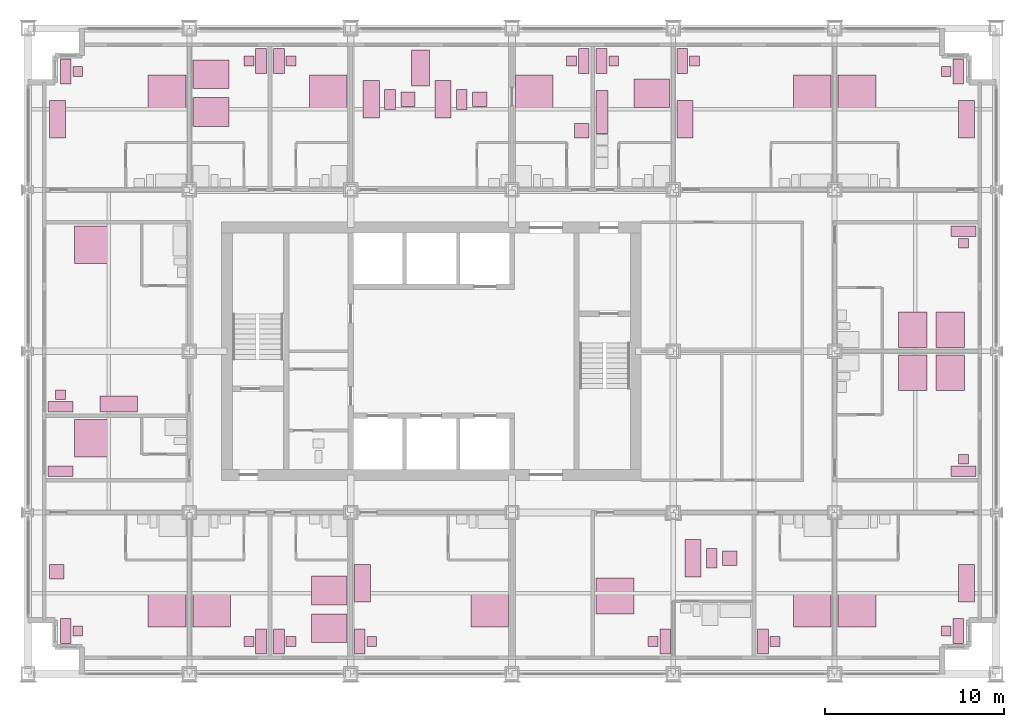
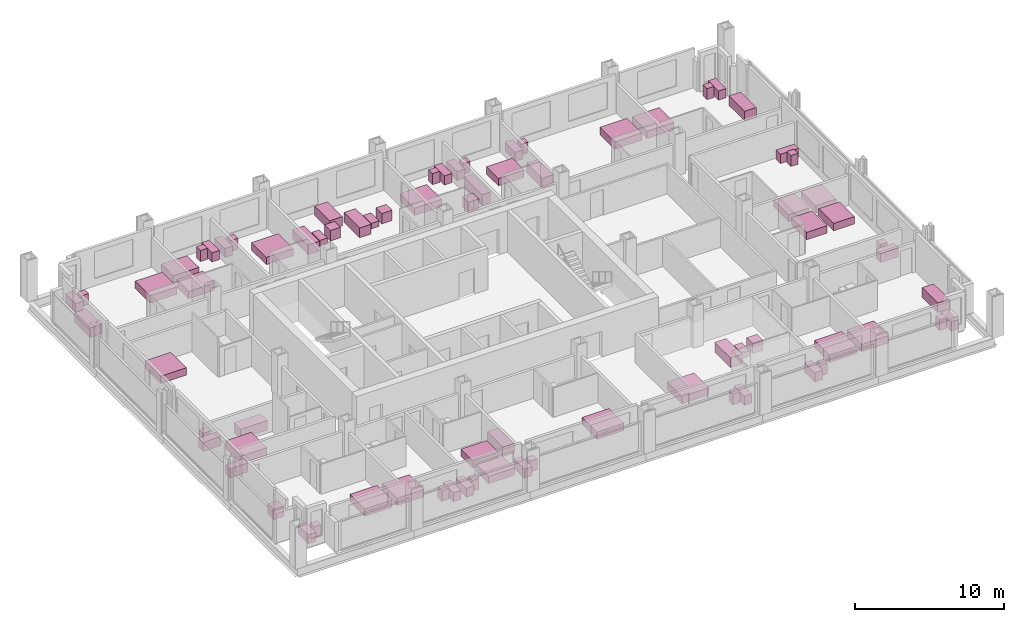
# One storey, part 18 of 18: 76 furniture elements.
"""IFC4 building model written with IfcOpenShell, lengths in metres."""

from ifc_helpers import new_model, si_unit, direction, frame, origin, origin_2d, place, context, subcontext, project, spatial, rectangle, extrude, element, save


model = new_model("IFC4")

# Units and contexts
model_context = context("Model", 3, precision=1e-05, world=origin(), true_north=direction((0.0, 1.0)))
body_context = subcontext(model_context, "Body", "Model", "MODEL_VIEW")
ifc_project = project(units=[si_unit("LENGTHUNIT", "METRE"), si_unit("AREAUNIT", "SQUARE_METRE"), si_unit("VOLUMEUNIT", "CUBIC_METRE"), si_unit("PLANEANGLEUNIT", "RADIAN"), si_unit("MASSUNIT", "GRAM", prefix="KILO")], contexts=[model_context])

# Site, building, storey
site_placement = place(None, origin())
site = spatial("IfcSite", under=ifc_project, at=site_placement, CompositionType="ELEMENT")
building_placement = place(site_placement, origin())
building = spatial("IfcBuilding", under=site, at=building_placement, Name="Loomwork Tower", CompositionType="ELEMENT")
storey_placement = place(building_placement, frame((0.0, 0.0, 31.39990234375)))
storey = spatial("IfcBuildingStorey", under=building, at=storey_placement, Name="L06", CompositionType="ELEMENT", Elevation=31.39990234375)

# Furniture
furniture_1_placement = place(storey_placement, frame((7.75, 3.60009765625, 0.0), z_axis=(0.0, 0.0, 1.0), x_axis=(1.0, 0.0, 0.0)))
element("IfcFurniture", 1, at=furniture_1_placement, inside=storey, Name="King bed L06", PredefinedType="BED", context=body_context, shape_type="SweptSolid", body=[
    extrude(rectangle(XDim=2.10009765625, YDim=2.0, at=origin_2d()), origin(), (0.0, 0.0, 1.0), 0.60009765625),
])
furniture_2_placement = place(storey_placement, frame((2.10009765625, 2.39990234375, 0.0), z_axis=(0.0, 0.0, 1.0), x_axis=(1.0, 0.0, 0.0)))
element("IfcFurniture", 2, at=furniture_2_placement, inside=storey, Name="Writing desk L06", PredefinedType="DESK", context=body_context, shape_type="SweptSolid", body=[
    extrude(rectangle(XDim=0.60009765625, YDim=1.39990234375, at=origin_2d()), origin(), (0.0, 0.0, 1.0), 0.75),
])
furniture_3_placement = place(storey_placement, frame((2.77490234375, 2.39990234375, 0.000244140625), z_axis=(0.0, 0.0, 1.0), x_axis=(1.0, 0.0, 0.0)))
element("IfcFurniture", 3, at=furniture_3_placement, inside=storey, Name="Desk chair L06", PredefinedType="CHAIR", context=body_context, shape_type="SweptSolid", body=[
    extrude(rectangle(XDim=0.550048828125, YDim=0.550048828125, at=origin_2d()), origin(), (0.0, 0.0, 1.0), 0.89990234375),
])
furniture_4_placement = place(storey_placement, frame((1.60009765625, 5.699951171875, 0.0), z_axis=(0.0, 0.0, 1.0), x_axis=(1.0, 0.0, 0.0)))
element("IfcFurniture", 4, at=furniture_4_placement, inside=storey, Name="Lounge armchair L06", PredefinedType="CHAIR", context=body_context, shape_type="SweptSolid", body=[
    extrude(rectangle(XDim=0.800048828125, YDim=0.800048828125, at=origin_2d()), origin(), (0.0, 0.0, 1.0), 0.85009765625),
])
furniture_5_placement = place(storey_placement, frame((10.25, 3.60009765625, 0.0), z_axis=(0.0, 0.0, 1.0), x_axis=(1.0, 0.0, 0.0)))
element("IfcFurniture", 5, at=furniture_5_placement, inside=storey, Name="King bed L06", PredefinedType="BED", context=body_context, shape_type="SweptSolid", body=[
    extrude(rectangle(XDim=2.10009765625, YDim=2.0, at=origin_2d()), origin(), (0.0, 0.0, 1.0), 0.60009765625),
])
furniture_6_placement = place(storey_placement, frame((13.0, 1.800048828125, 0.0), z_axis=(0.0, 0.0, 1.0), x_axis=(1.0, 0.0, 0.0)))
element("IfcFurniture", 6, at=furniture_6_placement, inside=storey, Name="Writing desk L06", PredefinedType="DESK", context=body_context, shape_type="SweptSolid", body=[
    extrude(rectangle(XDim=0.60009765625, YDim=1.39990234375, at=origin_2d()), origin(), (0.0, 0.0, 1.0), 0.75),
])
furniture_7_placement = place(storey_placement, frame((12.324951171875, 1.800048828125, 0.000244140625), z_axis=(0.0, 0.0, 1.0), x_axis=(1.0, 0.0, 0.0)))
element("IfcFurniture", 7, at=furniture_7_placement, inside=storey, Name="Desk chair L06", PredefinedType="CHAIR", context=body_context, shape_type="SweptSolid", body=[
    extrude(rectangle(XDim=0.550048828125, YDim=0.550048828125, at=origin_2d()), origin(), (0.0, 0.0, 1.0), 0.89990234375),
])
for number, where, z_axis, x_axis, name in (
    (8, (16.800048828125, 4.64990234375, 0.0), (0.0, 0.0, 1.0), (1.0, 0.0, 0.0), "Queen bed L06"),
    (9, (16.800048828125, 2.550048828125, 0.0), (0.0, 0.0, 1.0), (1.0, 0.0, 0.0), "Queen bed L06"),
):
    element("IfcFurniture", number, at=place(storey_placement, frame(where, z_axis=z_axis, x_axis=x_axis)), inside=storey, Name=name, PredefinedType="BED", context=body_context, shape_type="SweptSolid", body=[
        extrude(rectangle(XDim=2.0, YDim=1.60009765625, at=origin_2d()), origin(), (0.0, 0.0, 1.0), 0.60009765625),
    ])
furniture_8_placement = place(storey_placement, frame((14.0, 1.800048828125, 0.0), z_axis=(0.0, 0.0, 1.0), x_axis=(1.0, 0.0, 0.0)))
element("IfcFurniture", 10, at=furniture_8_placement, inside=storey, Name="Writing desk L06", PredefinedType="DESK", context=body_context, shape_type="SweptSolid", body=[
    extrude(rectangle(XDim=0.60009765625, YDim=1.39990234375, at=origin_2d()), origin(), (0.0, 0.0, 1.0), 0.75),
])
furniture_9_placement = place(storey_placement, frame((14.675048828125, 1.800048828125, 0.000244140625), z_axis=(0.0, 0.0, 1.0), x_axis=(1.0, 0.0, 0.0)))
element("IfcFurniture", 11, at=furniture_9_placement, inside=storey, Name="Desk chair L06", PredefinedType="CHAIR", context=body_context, shape_type="SweptSolid", body=[
    extrude(rectangle(XDim=0.550048828125, YDim=0.550048828125, at=origin_2d()), origin(), (0.0, 0.0, 1.0), 0.89990234375),
])
furniture_10_placement = place(storey_placement, frame((25.75, 3.60009765625, 0.0), z_axis=(0.0, 0.0, 1.0), x_axis=(1.0, 0.0, 0.0)))
element("IfcFurniture", 12, at=furniture_10_placement, inside=storey, Name="King bed L06", PredefinedType="BED", context=body_context, shape_type="SweptSolid", body=[
    extrude(rectangle(XDim=2.10009765625, YDim=2.0, at=origin_2d()), origin(), (0.0, 0.0, 1.0), 0.60009765625),
])
furniture_11_placement = place(storey_placement, frame((18.5, 1.800048828125, 0.0), z_axis=(0.0, 0.0, 1.0), x_axis=(1.0, 0.0, 0.0)))
element("IfcFurniture", 13, at=furniture_11_placement, inside=storey, Name="Writing desk L06", PredefinedType="DESK", context=body_context, shape_type="SweptSolid", body=[
    extrude(rectangle(XDim=0.60009765625, YDim=1.39990234375, at=origin_2d()), origin(), (0.0, 0.0, 1.0), 0.75),
])
furniture_12_placement = place(storey_placement, frame((19.175048828125, 1.800048828125, 0.000244140625), z_axis=(0.0, 0.0, 1.0), x_axis=(1.0, 0.0, 0.0)))
element("IfcFurniture", 14, at=furniture_12_placement, inside=storey, Name="Desk chair L06", PredefinedType="CHAIR", context=body_context, shape_type="SweptSolid", body=[
    extrude(rectangle(XDim=0.550048828125, YDim=0.550048828125, at=origin_2d()), origin(), (0.0, 0.0, 1.0), 0.89990234375),
])
furniture_13_placement = place(storey_placement, frame((18.64990234375, 5.050048828125, 0.0), z_axis=(0.0, 0.0, 1.0), x_axis=(1.0, 0.0, 0.0)))
element("IfcFurniture", 15, at=furniture_13_placement, inside=storey, Name="Sofa L06", PredefinedType="SOFA", context=body_context, shape_type="SweptSolid", body=[
    extrude(rectangle(XDim=0.89990234375, YDim=2.10009765625, at=origin_2d()), origin(), (0.0, 0.0, 1.0), 0.800048828125),
])
furniture_14_placement = place(storey_placement, frame((32.75, 4.35009765625, 0.0), z_axis=(0.0, 0.0, 1.0), x_axis=(1.0, 0.0, 0.0)))
element("IfcFurniture", 16, at=furniture_14_placement, inside=storey, Name="King bed L06", PredefinedType="BED", context=body_context, shape_type="SweptSolid", body=[
    extrude(rectangle(XDim=2.10009765625, YDim=2.0, at=origin_2d()), origin(), (0.0, 0.0, 1.0), 0.60009765625),
])
furniture_15_placement = place(storey_placement, frame((35.550048828125, 1.800048828125, 0.0), z_axis=(0.0, 0.0, 1.0), x_axis=(1.0, 0.0, 0.0)))
element("IfcFurniture", 17, at=furniture_15_placement, inside=storey, Name="Writing desk L06", PredefinedType="DESK", context=body_context, shape_type="SweptSolid", body=[
    extrude(rectangle(XDim=0.60009765625, YDim=1.39990234375, at=origin_2d()), origin(), (0.0, 0.0, 1.0), 0.75),
])
furniture_16_placement = place(storey_placement, frame((34.875, 1.800048828125, 0.000244140625), z_axis=(0.0, 0.0, 1.0), x_axis=(1.0, 0.0, 0.0)))
element("IfcFurniture", 18, at=furniture_16_placement, inside=storey, Name="Desk chair L06", PredefinedType="CHAIR", context=body_context, shape_type="SweptSolid", body=[
    extrude(rectangle(XDim=0.550048828125, YDim=0.550048828125, at=origin_2d()), origin(), (0.0, 0.0, 1.0), 0.89990234375),
])
furniture_17_placement = place(storey_placement, frame((37.10009765625, 6.449951171875, 0.0), z_axis=(0.0, 0.0, 1.0), x_axis=(1.0, 0.0, 0.0)))
element("IfcFurniture", 19, at=furniture_17_placement, inside=storey, Name="Sofa L06", PredefinedType="SOFA", context=body_context, shape_type="SweptSolid", body=[
    extrude(rectangle(XDim=0.89990234375, YDim=2.10009765625, at=origin_2d()), origin(), (0.0, 0.0, 1.0), 0.800048828125),
])
furniture_18_placement = place(storey_placement, frame((38.14990234375, 6.449951171875, 0.0), z_axis=(0.0, 0.0, 1.0), x_axis=(1.0, 0.0, 0.0)))
element("IfcFurniture", 20, at=furniture_18_placement, inside=storey, Name="Coffee table L06", PredefinedType="TABLE", context=body_context, shape_type="SweptSolid", body=[
    extrude(rectangle(XDim=0.60009765625, YDim=1.10009765625, at=origin_2d()), origin(), (0.0, 0.0, 1.0), 0.449951171875),
])
furniture_19_placement = place(storey_placement, frame((39.14990234375, 6.449951171875, 0.0), z_axis=(0.0, 0.0, 1.0), x_axis=(1.0, 0.0, 0.0)))
element("IfcFurniture", 21, at=furniture_19_placement, inside=storey, Name="Lounge armchair L06", PredefinedType="CHAIR", context=body_context, shape_type="SweptSolid", body=[
    extrude(rectangle(XDim=0.800048828125, YDim=0.800048828125, at=origin_2d()), origin(), (0.0, 0.0, 1.0), 0.85009765625),
])
furniture_20_placement = place(storey_placement, frame((43.75, 3.60009765625, 0.0), z_axis=(0.0, 0.0, 1.0), x_axis=(1.0, 0.0, 0.0)))
element("IfcFurniture", 22, at=furniture_20_placement, inside=storey, Name="King bed L06", PredefinedType="BED", context=body_context, shape_type="SweptSolid", body=[
    extrude(rectangle(XDim=2.10009765625, YDim=2.0, at=origin_2d()), origin(), (0.0, 0.0, 1.0), 0.60009765625),
])
furniture_21_placement = place(storey_placement, frame((41.0, 1.800048828125, 0.0), z_axis=(0.0, 0.0, 1.0), x_axis=(1.0, 0.0, 0.0)))
element("IfcFurniture", 23, at=furniture_21_placement, inside=storey, Name="Writing desk L06", PredefinedType="DESK", context=body_context, shape_type="SweptSolid", body=[
    extrude(rectangle(XDim=0.60009765625, YDim=1.39990234375, at=origin_2d()), origin(), (0.0, 0.0, 1.0), 0.75),
])
furniture_22_placement = place(storey_placement, frame((41.675048828125, 1.800048828125, 0.000244140625), z_axis=(0.0, 0.0, 1.0), x_axis=(1.0, 0.0, 0.0)))
element("IfcFurniture", 24, at=furniture_22_placement, inside=storey, Name="Desk chair L06", PredefinedType="CHAIR", context=body_context, shape_type="SweptSolid", body=[
    extrude(rectangle(XDim=0.550048828125, YDim=0.550048828125, at=origin_2d()), origin(), (0.0, 0.0, 1.0), 0.89990234375),
])
furniture_23_placement = place(storey_placement, frame((46.25, 3.60009765625, 0.0), z_axis=(0.0, 0.0, 1.0), x_axis=(1.0, 0.0, 0.0)))
element("IfcFurniture", 25, at=furniture_23_placement, inside=storey, Name="King bed L06", PredefinedType="BED", context=body_context, shape_type="SweptSolid", body=[
    extrude(rectangle(XDim=2.10009765625, YDim=2.0, at=origin_2d()), origin(), (0.0, 0.0, 1.0), 0.60009765625),
])
furniture_24_placement = place(storey_placement, frame((51.89990234375, 2.39990234375, 0.0), z_axis=(0.0, 0.0, 1.0), x_axis=(1.0, 0.0, 0.0)))
element("IfcFurniture", 26, at=furniture_24_placement, inside=storey, Name="Writing desk L06", PredefinedType="DESK", context=body_context, shape_type="SweptSolid", body=[
    extrude(rectangle(XDim=0.60009765625, YDim=1.39990234375, at=origin_2d()), origin(), (0.0, 0.0, 1.0), 0.75),
])
furniture_25_placement = place(storey_placement, frame((51.22509765625, 2.39990234375, 0.000244140625), z_axis=(0.0, 0.0, 1.0), x_axis=(1.0, 0.0, 0.0)))
element("IfcFurniture", 27, at=furniture_25_placement, inside=storey, Name="Desk chair L06", PredefinedType="CHAIR", context=body_context, shape_type="SweptSolid", body=[
    extrude(rectangle(XDim=0.550048828125, YDim=0.550048828125, at=origin_2d()), origin(), (0.0, 0.0, 1.0), 0.89990234375),
])
furniture_26_placement = place(storey_placement, frame((52.35009765625, 5.050048828125, 0.0), z_axis=(0.0, 0.0, 1.0), x_axis=(1.0, 0.0, 0.0)))
element("IfcFurniture", 28, at=furniture_26_placement, inside=storey, Name="Sofa L06", PredefinedType="SOFA", context=body_context, shape_type="SweptSolid", body=[
    extrude(rectangle(XDim=0.89990234375, YDim=2.10009765625, at=origin_2d()), origin(), (0.0, 0.0, 1.0), 0.800048828125),
])
furniture_27_placement = place(storey_placement, frame((7.75, 32.39990234375, 0.0), z_axis=(0.0, 0.0, 1.0), x_axis=(1.0, 0.0, 0.0)))
element("IfcFurniture", 29, at=furniture_27_placement, inside=storey, Name="King bed L06", PredefinedType="BED", context=body_context, shape_type="SweptSolid", body=[
    extrude(rectangle(XDim=2.10009765625, YDim=2.0, at=origin_2d()), origin(), (0.0, 0.0, 1.0), 0.60009765625),
])
furniture_28_placement = place(storey_placement, frame((2.10009765625, 33.60009765625, 0.0), z_axis=(0.0, 0.0, 1.0), x_axis=(1.0, 0.0, 0.0)))
element("IfcFurniture", 30, at=furniture_28_placement, inside=storey, Name="Writing desk L06", PredefinedType="DESK", context=body_context, shape_type="SweptSolid", body=[
    extrude(rectangle(XDim=0.60009765625, YDim=1.39990234375, at=origin_2d()), origin(), (0.0, 0.0, 1.0), 0.75),
])
furniture_29_placement = place(storey_placement, frame((2.77490234375, 33.60009765625, 0.000244140625), z_axis=(0.0, 0.0, 1.0), x_axis=(1.0, 0.0, 0.0)))
element("IfcFurniture", 31, at=furniture_29_placement, inside=storey, Name="Desk chair L06", PredefinedType="CHAIR", context=body_context, shape_type="SweptSolid", body=[
    extrude(rectangle(XDim=0.550048828125, YDim=0.550048828125, at=origin_2d()), origin(), (0.0, 0.0, 1.0), 0.89990234375),
])
furniture_30_placement = place(storey_placement, frame((1.64990234375, 30.949951171875, 0.0), z_axis=(0.0, 0.0, 1.0), x_axis=(1.0, 0.0, 0.0)))
element("IfcFurniture", 32, at=furniture_30_placement, inside=storey, Name="Sofa L06", PredefinedType="SOFA", context=body_context, shape_type="SweptSolid", body=[
    extrude(rectangle(XDim=0.89990234375, YDim=2.10009765625, at=origin_2d()), origin(), (0.0, 0.0, 1.0), 0.800048828125),
])
for number, where, z_axis, x_axis, name in (
    (33, (10.199951171875, 31.35009765625, 0.0), (0.0, 0.0, 1.0), (1.0, 0.0, 0.0), "Queen bed L06"),
    (34, (10.199951171875, 33.449951171875, 0.0), (0.0, 0.0, 1.0), (1.0, 0.0, 0.0), "Queen bed L06"),
):
    element("IfcFurniture", number, at=place(storey_placement, frame(where, z_axis=z_axis, x_axis=x_axis)), inside=storey, Name=name, PredefinedType="BED", context=body_context, shape_type="SweptSolid", body=[
        extrude(rectangle(XDim=2.0, YDim=1.60009765625, at=origin_2d()), origin(), (0.0, 0.0, 1.0), 0.60009765625),
    ])
furniture_31_placement = place(storey_placement, frame((13.0, 34.199951171875, 0.0), z_axis=(0.0, 0.0, 1.0), x_axis=(1.0, 0.0, 0.0)))
element("IfcFurniture", 35, at=furniture_31_placement, inside=storey, Name="Writing desk L06", PredefinedType="DESK", context=body_context, shape_type="SweptSolid", body=[
    extrude(rectangle(XDim=0.60009765625, YDim=1.39990234375, at=origin_2d()), origin(), (0.0, 0.0, 1.0), 0.75),
])
furniture_32_placement = place(storey_placement, frame((12.324951171875, 34.199951171875, 0.000244140625), z_axis=(0.0, 0.0, 1.0), x_axis=(1.0, 0.0, 0.0)))
element("IfcFurniture", 36, at=furniture_32_placement, inside=storey, Name="Desk chair L06", PredefinedType="CHAIR", context=body_context, shape_type="SweptSolid", body=[
    extrude(rectangle(XDim=0.550048828125, YDim=0.550048828125, at=origin_2d()), origin(), (0.0, 0.0, 1.0), 0.89990234375),
])
furniture_33_placement = place(storey_placement, frame((16.75, 32.39990234375, 0.0), z_axis=(0.0, 0.0, 1.0), x_axis=(1.0, 0.0, 0.0)))
element("IfcFurniture", 37, at=furniture_33_placement, inside=storey, Name="King bed L06", PredefinedType="BED", context=body_context, shape_type="SweptSolid", body=[
    extrude(rectangle(XDim=2.10009765625, YDim=2.0, at=origin_2d()), origin(), (0.0, 0.0, 1.0), 0.60009765625),
])
furniture_34_placement = place(storey_placement, frame((14.0, 34.199951171875, 0.0), z_axis=(0.0, 0.0, 1.0), x_axis=(1.0, 0.0, 0.0)))
element("IfcFurniture", 38, at=furniture_34_placement, inside=storey, Name="Writing desk L06", PredefinedType="DESK", context=body_context, shape_type="SweptSolid", body=[
    extrude(rectangle(XDim=0.60009765625, YDim=1.39990234375, at=origin_2d()), origin(), (0.0, 0.0, 1.0), 0.75),
])
furniture_35_placement = place(storey_placement, frame((14.675048828125, 34.199951171875, 0.000244140625), z_axis=(0.0, 0.0, 1.0), x_axis=(1.0, 0.0, 0.0)))
element("IfcFurniture", 39, at=furniture_35_placement, inside=storey, Name="Desk chair L06", PredefinedType="CHAIR", context=body_context, shape_type="SweptSolid", body=[
    extrude(rectangle(XDim=0.550048828125, YDim=0.550048828125, at=origin_2d()), origin(), (0.0, 0.0, 1.0), 0.89990234375),
])
furniture_36_placement = place(storey_placement, frame((19.14990234375, 32.050048828125, 0.0), z_axis=(0.0, 0.0, 1.0), x_axis=(1.0, 0.0, 0.0)))
element("IfcFurniture", 40, at=furniture_36_placement, inside=storey, Name="Sofa L06", PredefinedType="SOFA", context=body_context, shape_type="SweptSolid", body=[
    extrude(rectangle(XDim=0.89990234375, YDim=2.10009765625, at=origin_2d()), origin(), (0.0, 0.0, 1.0), 0.800048828125),
])
furniture_37_placement = place(storey_placement, frame((20.199951171875, 32.050048828125, 0.0), z_axis=(0.0, 0.0, 1.0), x_axis=(1.0, 0.0, 0.0)))
element("IfcFurniture", 41, at=furniture_37_placement, inside=storey, Name="Coffee table L06", PredefinedType="TABLE", context=body_context, shape_type="SweptSolid", body=[
    extrude(rectangle(XDim=0.60009765625, YDim=1.10009765625, at=origin_2d()), origin(), (0.0, 0.0, 1.0), 0.449951171875),
])
furniture_38_placement = place(storey_placement, frame((21.199951171875, 32.050048828125, 0.0), z_axis=(0.0, 0.0, 1.0), x_axis=(1.0, 0.0, 0.0)))
element("IfcFurniture", 42, at=furniture_38_placement, inside=storey, Name="Lounge armchair L06", PredefinedType="CHAIR", context=body_context, shape_type="SweptSolid", body=[
    extrude(rectangle(XDim=0.800048828125, YDim=0.800048828125, at=origin_2d()), origin(), (0.0, 0.0, 1.0), 0.85009765625),
])
furniture_39_placement = place(storey_placement, frame((23.14990234375, 32.050048828125, 0.0), z_axis=(0.0, 0.0, 1.0), x_axis=(1.0, 0.0, 0.0)))
element("IfcFurniture", 43, at=furniture_39_placement, inside=storey, Name="Sofa L06", PredefinedType="SOFA", context=body_context, shape_type="SweptSolid", body=[
    extrude(rectangle(XDim=0.89990234375, YDim=2.10009765625, at=origin_2d()), origin(), (0.0, 0.0, 1.0), 0.800048828125),
])
furniture_40_placement = place(storey_placement, frame((24.199951171875, 32.050048828125, 0.0), z_axis=(0.0, 0.0, 1.0), x_axis=(1.0, 0.0, 0.0)))
element("IfcFurniture", 44, at=furniture_40_placement, inside=storey, Name="Coffee table L06", PredefinedType="TABLE", context=body_context, shape_type="SweptSolid", body=[
    extrude(rectangle(XDim=0.60009765625, YDim=1.10009765625, at=origin_2d()), origin(), (0.0, 0.0, 1.0), 0.449951171875),
])
furniture_41_placement = place(storey_placement, frame((25.199951171875, 32.050048828125, 0.0), z_axis=(0.0, 0.0, 1.0), x_axis=(1.0, 0.0, 0.0)))
element("IfcFurniture", 45, at=furniture_41_placement, inside=storey, Name="Lounge armchair L06", PredefinedType="CHAIR", context=body_context, shape_type="SweptSolid", body=[
    extrude(rectangle(XDim=0.800048828125, YDim=0.800048828125, at=origin_2d()), origin(), (0.0, 0.0, 1.0), 0.85009765625),
])
furniture_42_placement = place(storey_placement, frame((21.89990234375, 33.800048828125, 0.0), z_axis=(0.0, 0.0, 1.0), x_axis=(1.0, 0.0, 0.0)))
element("IfcFurniture", 46, at=furniture_42_placement, inside=storey, Name="Dining table L06", PredefinedType="TABLE", context=body_context, shape_type="SweptSolid", body=[
    extrude(rectangle(XDim=1.0, YDim=2.0, at=origin_2d()), origin(), (0.0, 0.0, 1.0), 0.75),
])
furniture_43_placement = place(storey_placement, frame((28.25, 32.39990234375, 0.0), z_axis=(0.0, 0.0, 1.0), x_axis=(1.0, 0.0, 0.0)))
element("IfcFurniture", 47, at=furniture_43_placement, inside=storey, Name="King bed L06", PredefinedType="BED", context=body_context, shape_type="SweptSolid", body=[
    extrude(rectangle(XDim=2.10009765625, YDim=2.0, at=origin_2d()), origin(), (0.0, 0.0, 1.0), 0.60009765625),
])
furniture_44_placement = place(storey_placement, frame((31.0, 34.199951171875, 0.0), z_axis=(0.0, 0.0, 1.0), x_axis=(1.0, 0.0, 0.0)))
element("IfcFurniture", 48, at=furniture_44_placement, inside=storey, Name="Writing desk L06", PredefinedType="DESK", context=body_context, shape_type="SweptSolid", body=[
    extrude(rectangle(XDim=0.60009765625, YDim=1.39990234375, at=origin_2d()), origin(), (0.0, 0.0, 1.0), 0.75),
])
furniture_45_placement = place(storey_placement, frame((30.324951171875, 34.199951171875, 0.000244140625), z_axis=(0.0, 0.0, 1.0), x_axis=(1.0, 0.0, 0.0)))
element("IfcFurniture", 49, at=furniture_45_placement, inside=storey, Name="Desk chair L06", PredefinedType="CHAIR", context=body_context, shape_type="SweptSolid", body=[
    extrude(rectangle(XDim=0.550048828125, YDim=0.550048828125, at=origin_2d()), origin(), (0.0, 0.0, 1.0), 0.89990234375),
])
furniture_46_placement = place(storey_placement, frame((30.89990234375, 30.300048828125, 0.0), z_axis=(0.0, 0.0, 1.0), x_axis=(1.0, 0.0, 0.0)))
element("IfcFurniture", 50, at=furniture_46_placement, inside=storey, Name="Lounge armchair L06", PredefinedType="CHAIR", context=body_context, shape_type="SweptSolid", body=[
    extrude(rectangle(XDim=0.800048828125, YDim=0.800048828125, at=origin_2d()), origin(), (0.0, 0.0, 1.0), 0.85009765625),
])
furniture_47_placement = place(storey_placement, frame((34.800048828125, 32.39990234375, 0.0), z_axis=(0.0, 0.0, 1.0), x_axis=(1.0, 0.0, 0.0)))
element("IfcFurniture", 51, at=furniture_47_placement, inside=storey, Name="Queen bed L06", PredefinedType="BED", context=body_context, shape_type="SweptSolid", body=[
    extrude(rectangle(XDim=2.0, YDim=1.60009765625, at=origin_2d()), origin(), (0.0, 0.0, 1.0), 0.60009765625),
])
furniture_48_placement = place(storey_placement, frame((32.0, 34.199951171875, 0.0), z_axis=(0.0, 0.0, 1.0), x_axis=(1.0, 0.0, 0.0)))
element("IfcFurniture", 52, at=furniture_48_placement, inside=storey, Name="Writing desk L06", PredefinedType="DESK", context=body_context, shape_type="SweptSolid", body=[
    extrude(rectangle(XDim=0.60009765625, YDim=1.39990234375, at=origin_2d()), origin(), (0.0, 0.0, 1.0), 0.75),
])
furniture_49_placement = place(storey_placement, frame((32.675048828125, 34.199951171875, 0.000244140625), z_axis=(0.0, 0.0, 1.0), x_axis=(1.0, 0.0, 0.0)))
element("IfcFurniture", 53, at=furniture_49_placement, inside=storey, Name="Desk chair L06", PredefinedType="CHAIR", context=body_context, shape_type="SweptSolid", body=[
    extrude(rectangle(XDim=0.550048828125, YDim=0.550048828125, at=origin_2d()), origin(), (0.0, 0.0, 1.0), 0.89990234375),
])
furniture_50_placement = place(storey_placement, frame((32.02490234375, 31.35009765625, 0.000244140625), z_axis=(0.0, 0.0, 1.0), x_axis=(1.0, 0.0, 0.0)))
element("IfcFurniture", 54, at=furniture_50_placement, inside=storey, Name="Kitchenette counter L06", ObjectType="KITCHENETTE", PredefinedType="USERDEFINED", context=body_context, shape_type="SweptSolid", body=[
    extrude(rectangle(XDim=0.64990234375, YDim=2.39990234375, at=origin_2d()), origin(), (0.0, 0.0, 1.0), 0.89990234375),
])
furniture_51_placement = place(storey_placement, frame((43.75, 32.39990234375, 0.0), z_axis=(0.0, 0.0, 1.0), x_axis=(1.0, 0.0, 0.0)))
element("IfcFurniture", 55, at=furniture_51_placement, inside=storey, Name="King bed L06", PredefinedType="BED", context=body_context, shape_type="SweptSolid", body=[
    extrude(rectangle(XDim=2.10009765625, YDim=2.0, at=origin_2d()), origin(), (0.0, 0.0, 1.0), 0.60009765625),
])
furniture_52_placement = place(storey_placement, frame((36.5, 34.199951171875, 0.0), z_axis=(0.0, 0.0, 1.0), x_axis=(1.0, 0.0, 0.0)))
element("IfcFurniture", 56, at=furniture_52_placement, inside=storey, Name="Writing desk L06", PredefinedType="DESK", context=body_context, shape_type="SweptSolid", body=[
    extrude(rectangle(XDim=0.60009765625, YDim=1.39990234375, at=origin_2d()), origin(), (0.0, 0.0, 1.0), 0.75),
])
furniture_53_placement = place(storey_placement, frame((37.175048828125, 34.199951171875, 0.000244140625), z_axis=(0.0, 0.0, 1.0), x_axis=(1.0, 0.0, 0.0)))
element("IfcFurniture", 57, at=furniture_53_placement, inside=storey, Name="Desk chair L06", PredefinedType="CHAIR", context=body_context, shape_type="SweptSolid", body=[
    extrude(rectangle(XDim=0.550048828125, YDim=0.550048828125, at=origin_2d()), origin(), (0.0, 0.0, 1.0), 0.89990234375),
])
furniture_54_placement = place(storey_placement, frame((36.64990234375, 30.949951171875, 0.0), z_axis=(0.0, 0.0, 1.0), x_axis=(1.0, 0.0, 0.0)))
element("IfcFurniture", 58, at=furniture_54_placement, inside=storey, Name="Sofa L06", PredefinedType="SOFA", context=body_context, shape_type="SweptSolid", body=[
    extrude(rectangle(XDim=0.89990234375, YDim=2.10009765625, at=origin_2d()), origin(), (0.0, 0.0, 1.0), 0.800048828125),
])
furniture_55_placement = place(storey_placement, frame((46.25, 32.39990234375, 0.0), z_axis=(0.0, 0.0, 1.0), x_axis=(1.0, 0.0, 0.0)))
element("IfcFurniture", 59, at=furniture_55_placement, inside=storey, Name="King bed L06", PredefinedType="BED", context=body_context, shape_type="SweptSolid", body=[
    extrude(rectangle(XDim=2.10009765625, YDim=2.0, at=origin_2d()), origin(), (0.0, 0.0, 1.0), 0.60009765625),
])
furniture_56_placement = place(storey_placement, frame((51.89990234375, 33.60009765625, 0.0), z_axis=(0.0, 0.0, 1.0), x_axis=(1.0, 0.0, 0.0)))
element("IfcFurniture", 60, at=furniture_56_placement, inside=storey, Name="Writing desk L06", PredefinedType="DESK", context=body_context, shape_type="SweptSolid", body=[
    extrude(rectangle(XDim=0.60009765625, YDim=1.39990234375, at=origin_2d()), origin(), (0.0, 0.0, 1.0), 0.75),
])
furniture_57_placement = place(storey_placement, frame((51.22509765625, 33.60009765625, 0.000244140625), z_axis=(0.0, 0.0, 1.0), x_axis=(1.0, 0.0, 0.0)))
element("IfcFurniture", 61, at=furniture_57_placement, inside=storey, Name="Desk chair L06", PredefinedType="CHAIR", context=body_context, shape_type="SweptSolid", body=[
    extrude(rectangle(XDim=0.550048828125, YDim=0.550048828125, at=origin_2d()), origin(), (0.0, 0.0, 1.0), 0.89990234375),
])
furniture_58_placement = place(storey_placement, frame((52.35009765625, 30.949951171875, 0.0), z_axis=(0.0, 0.0, 1.0), x_axis=(1.0, 0.0, 0.0)))
element("IfcFurniture", 62, at=furniture_58_placement, inside=storey, Name="Sofa L06", PredefinedType="SOFA", context=body_context, shape_type="SweptSolid", body=[
    extrude(rectangle(XDim=0.89990234375, YDim=2.10009765625, at=origin_2d()), origin(), (0.0, 0.0, 1.0), 0.800048828125),
])
furniture_59_placement = place(storey_placement, frame((3.60009765625, 13.14990234375, 0.0), z_axis=(0.0, 0.0, 1.0), x_axis=(1.0, 0.0, 0.0)))
element("IfcFurniture", 63, at=furniture_59_placement, inside=storey, Name="King bed L06", PredefinedType="BED", context=body_context, shape_type="SweptSolid", body=[
    extrude(rectangle(XDim=2.0, YDim=2.10009765625, at=origin_2d()), origin(), (0.0, 0.0, 1.0), 0.60009765625),
])
furniture_60_placement = place(storey_placement, frame((1.800048828125, 11.300048828125, 0.0), z_axis=(0.0, 0.0, 1.0), x_axis=(1.0, 0.0, 0.0)))
element("IfcFurniture", 64, at=furniture_60_placement, inside=storey, Name="Writing desk L06", PredefinedType="DESK", context=body_context, shape_type="SweptSolid", body=[
    extrude(rectangle(XDim=1.39990234375, YDim=0.60009765625, at=origin_2d()), origin(), (0.0, 0.0, 1.0), 0.75),
])
furniture_61_placement = place(storey_placement, frame((3.60009765625, 23.949951171875, 0.0), z_axis=(0.0, 0.0, 1.0), x_axis=(1.0, 0.0, 0.0)))
element("IfcFurniture", 65, at=furniture_61_placement, inside=storey, Name="King bed L06", PredefinedType="BED", context=body_context, shape_type="SweptSolid", body=[
    extrude(rectangle(XDim=2.0, YDim=2.10009765625, at=origin_2d()), origin(), (0.0, 0.0, 1.0), 0.60009765625),
])
furniture_62_placement = place(storey_placement, frame((1.800048828125, 14.89990234375, 0.0), z_axis=(0.0, 0.0, 1.0), x_axis=(1.0, 0.0, 0.0)))
element("IfcFurniture", 66, at=furniture_62_placement, inside=storey, Name="Writing desk L06", PredefinedType="DESK", context=body_context, shape_type="SweptSolid", body=[
    extrude(rectangle(XDim=1.39990234375, YDim=0.60009765625, at=origin_2d()), origin(), (0.0, 0.0, 1.0), 0.75),
])
furniture_63_placement = place(storey_placement, frame((1.800048828125, 15.574951171875, 0.000244140625), z_axis=(0.0, 0.0, 1.0), x_axis=(1.0, 0.0, 0.0)))
element("IfcFurniture", 67, at=furniture_63_placement, inside=storey, Name="Desk chair L06", PredefinedType="CHAIR", context=body_context, shape_type="SweptSolid", body=[
    extrude(rectangle(XDim=0.550048828125, YDim=0.550048828125, at=origin_2d()), origin(), (0.0, 0.0, 1.0), 0.89990234375),
])
furniture_64_placement = place(storey_placement, frame((5.050048828125, 15.050048828125, 0.0), z_axis=(0.0, 0.0, 1.0), x_axis=(1.0, 0.0, 0.0)))
element("IfcFurniture", 68, at=furniture_64_placement, inside=storey, Name="Sofa L06", PredefinedType="SOFA", context=body_context, shape_type="SweptSolid", body=[
    extrude(rectangle(XDim=2.10009765625, YDim=0.89990234375, at=origin_2d()), origin(), (0.0, 0.0, 1.0), 0.800048828125),
])
for number, where, z_axis, x_axis, name in (
    (69, (49.35009765625, 16.800048828125, 0.0), (0.0, 0.0, 1.0), (1.0, 0.0, 0.0), "Queen bed L06"),
    (70, (51.449951171875, 16.800048828125, 0.0), (0.0, 0.0, 1.0), (1.0, 0.0, 0.0), "Queen bed L06"),
):
    element("IfcFurniture", number, at=place(storey_placement, frame(where, z_axis=z_axis, x_axis=x_axis)), inside=storey, Name=name, PredefinedType="BED", context=body_context, shape_type="SweptSolid", body=[
        extrude(rectangle(XDim=1.60009765625, YDim=2.0, at=origin_2d()), origin(), (0.0, 0.0, 1.0), 0.60009765625),
    ])
furniture_65_placement = place(storey_placement, frame((52.199951171875, 11.300048828125, 0.0), z_axis=(0.0, 0.0, 1.0), x_axis=(1.0, 0.0, 0.0)))
element("IfcFurniture", 71, at=furniture_65_placement, inside=storey, Name="Writing desk L06", PredefinedType="DESK", context=body_context, shape_type="SweptSolid", body=[
    extrude(rectangle(XDim=1.39990234375, YDim=0.60009765625, at=origin_2d()), origin(), (0.0, 0.0, 1.0), 0.75),
])
furniture_66_placement = place(storey_placement, frame((52.199951171875, 11.97509765625, 0.000244140625), z_axis=(0.0, 0.0, 1.0), x_axis=(1.0, 0.0, 0.0)))
element("IfcFurniture", 72, at=furniture_66_placement, inside=storey, Name="Desk chair L06", PredefinedType="CHAIR", context=body_context, shape_type="SweptSolid", body=[
    extrude(rectangle(XDim=0.550048828125, YDim=0.550048828125, at=origin_2d()), origin(), (0.0, 0.0, 1.0), 0.89990234375),
])
for number, where, z_axis, x_axis, name in (
    (73, (49.35009765625, 19.199951171875, 0.0), (0.0, 0.0, 1.0), (1.0, 0.0, 0.0), "Queen bed L06"),
    (74, (51.449951171875, 19.199951171875, 0.0), (0.0, 0.0, 1.0), (1.0, 0.0, 0.0), "Queen bed L06"),
):
    element("IfcFurniture", number, at=place(storey_placement, frame(where, z_axis=z_axis, x_axis=x_axis)), inside=storey, Name=name, PredefinedType="BED", context=body_context, shape_type="SweptSolid", body=[
        extrude(rectangle(XDim=1.60009765625, YDim=2.0, at=origin_2d()), origin(), (0.0, 0.0, 1.0), 0.60009765625),
    ])
furniture_67_placement = place(storey_placement, frame((52.199951171875, 24.699951171875, 0.0), z_axis=(0.0, 0.0, 1.0), x_axis=(1.0, 0.0, 0.0)))
element("IfcFurniture", 75, at=furniture_67_placement, inside=storey, Name="Writing desk L06", PredefinedType="DESK", context=body_context, shape_type="SweptSolid", body=[
    extrude(rectangle(XDim=1.39990234375, YDim=0.60009765625, at=origin_2d()), origin(), (0.0, 0.0, 1.0), 0.75),
])
furniture_68_placement = place(storey_placement, frame((52.199951171875, 24.02490234375, 0.000244140625), z_axis=(0.0, 0.0, 1.0), x_axis=(1.0, 0.0, 0.0)))
element("IfcFurniture", 76, at=furniture_68_placement, inside=storey, Name="Desk chair L06", PredefinedType="CHAIR", context=body_context, shape_type="SweptSolid", body=[
    extrude(rectangle(XDim=0.550048828125, YDim=0.550048828125, at=origin_2d()), origin(), (0.0, 0.0, 1.0), 0.89990234375),
])

save(model, "model.ifc")
